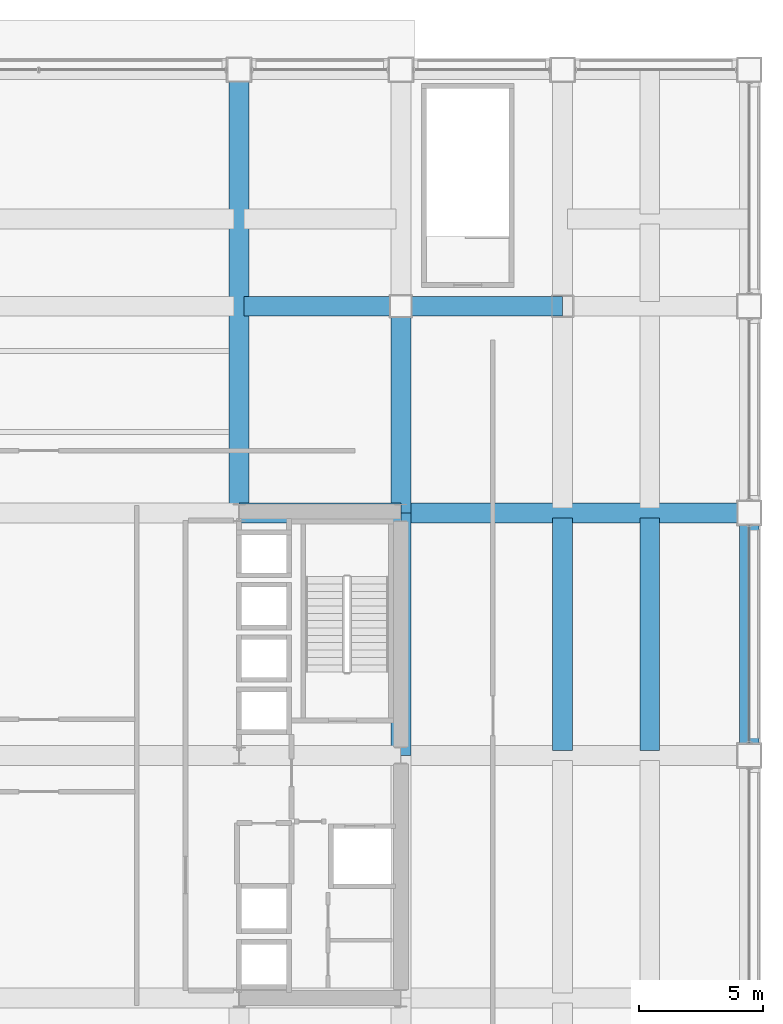
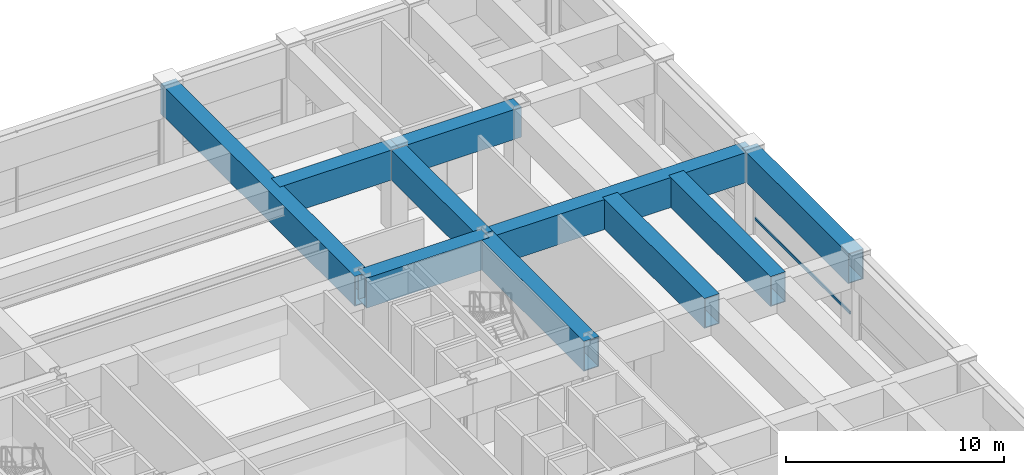
# One storey, part 20 of 30: 10 beams, 1 member, 1 element without a shape of its own.
"""IFC4 building model written with IfcOpenShell, lengths in metres."""

from ifc_helpers import new_model, si_unit, direction, frame, origin, origin_2d, place, context, subcontext, project, spatial, hollow_rectangle, extrude, material, layer, layer_set, material_profile, profile_set, type_object, element, aggregate, save


model = new_model("IFC4")

# Units and contexts
model_context = context("Model", 3, precision=1e-05, world=origin(), true_north=direction((0.0, 1.0)))
body_context = subcontext(model_context, "Body", "Model", "MODEL_VIEW")
ifc_project = project(units=[si_unit("LENGTHUNIT", "METRE"), si_unit("AREAUNIT", "SQUARE_METRE"), si_unit("VOLUMEUNIT", "CUBIC_METRE"), si_unit("PLANEANGLEUNIT", "RADIAN"), si_unit("MASSUNIT", "GRAM", prefix="KILO")], contexts=[model_context])

# Site, building, storey
site_placement = place(None, origin())
site = spatial("IfcSite", under=ifc_project, at=site_placement, CompositionType="ELEMENT")
building_placement = place(site_placement, origin())
building = spatial("IfcBuilding", under=site, at=building_placement, Name="Brelmoor Portico Tower", CompositionType="ELEMENT")
storey_placement = place(building_placement, frame((0.0, 0.0, 19.199951171875)))
storey = spatial("IfcBuildingStorey", under=building, at=storey_placement, Name="L04", CompositionType="ELEMENT", Elevation=19.199951171875)

# Beams
ifc_material_1 = material(Name="Steel Q355B", Category="steel")
ifc_material_profile_1 = material_profile(ifc_material_1, hollow_rectangle(XDim=0.800048828125, YDim=1.679931640625, WallThickness=0.044921875, at=origin_2d()), Name="BOX 800x1680x45")
ifc_profile_set_1 = profile_set([ifc_material_profile_1], Name="Steel Q355B")
beam_type = type_object("IfcBeamType", Name="BM-TG-Z1", PredefinedType="BEAM", material=ifc_profile_set_1)
beam_1_placement = place(storey_placement, frame((28.550048828125, 0.0, 3.760009765625), z_axis=(0.0, 1.0, 0.0), x_axis=(-1.0, 0.0, 0.0)))
element("IfcBeam", 1, at=beam_1_placement, inside=storey, type_object=beam_type, Name="L04 Perimeter Transfer Beam SP-24", PredefinedType="BEAM", context=body_context, shape_type="SweptSolid", body=[
    extrude(hollow_rectangle(XDim=0.800048828125, YDim=1.679931640625, WallThickness=0.044921875, at=origin_2d()), origin(), (0.0, 0.0, 1.0), 9.75),
])
beam_2_placement = place(storey_placement, frame((8.050048828125, 9.75, 3.760009765625), z_axis=(0.0, 1.0, 0.0), x_axis=(-1.0, 0.0, 0.0)))
element("IfcBeam", 2, at=beam_2_placement, inside=storey, type_object=beam_type, Name="L04 Setback Transfer Girder PG-12", PredefinedType="BEAM", context=body_context, shape_type="SweptSolid", body=[
    extrude(hollow_rectangle(XDim=0.800048828125, YDim=1.679931640625, WallThickness=0.044921875, at=origin_2d()), origin(), (0.0, 0.0, 1.0), 17.800048828125),
])
beam_3_placement = place(storey_placement, frame((14.550048828125, 0.0, 3.760009765625), z_axis=(0.0, 1.0, 0.0), x_axis=(-1.0, 0.0, 0.0)))
element("IfcBeam", 3, at=beam_3_placement, inside=storey, type_object=beam_type, Name="L04 Setback Transfer Girder PG-16", PredefinedType="BEAM", context=body_context, shape_type="SweptSolid", body=[
    extrude(hollow_rectangle(XDim=0.800048828125, YDim=1.679931640625, WallThickness=0.044921875, at=origin_2d()), origin(), (0.0, 0.0, 1.0), 9.75),
])
beam_4_placement = place(storey_placement, frame((14.550048828125, 9.75, 3.760009765625), z_axis=(0.0, 1.0, 0.0), x_axis=(-1.0, 0.0, 0.0)))
element("IfcBeam", 4, at=beam_4_placement, inside=storey, type_object=beam_type, Name="L04 Setback Transfer Girder PG-17", PredefinedType="BEAM", context=body_context, shape_type="SweptSolid", body=[
    extrude(hollow_rectangle(XDim=0.800048828125, YDim=1.679931640625, WallThickness=0.044921875, at=origin_2d()), origin(), (0.0, 0.0, 1.0), 8.300048828125),
])
beam_5_placement = place(storey_placement, frame((8.050048828125, 9.75, 3.760009765625), z_axis=(1.0, 0.0, 0.0), x_axis=(0.0, 1.0, 0.0)))
element("IfcBeam", 5, at=beam_5_placement, inside=storey, type_object=beam_type, Name="L04 Setback Transfer Girder PG-38", PredefinedType="BEAM", context=body_context, shape_type="SweptSolid", body=[
    extrude(hollow_rectangle(XDim=0.800048828125, YDim=1.679931640625, WallThickness=0.044921875, at=origin_2d()), origin(), (0.0, 0.0, 1.0), 6.5),
])
beam_6_placement = place(storey_placement, frame((14.550048828125, 9.75, 3.760009765625), z_axis=(1.0, 0.0, 0.0), x_axis=(0.0, 1.0, 0.0)))
element("IfcBeam", 6, at=beam_6_placement, inside=storey, type_object=beam_type, Name="L04 Setback Transfer Girder PG-39", PredefinedType="BEAM", context=body_context, shape_type="SweptSolid", body=[
    extrude(hollow_rectangle(XDim=0.800048828125, YDim=1.679931640625, WallThickness=0.044921875, at=origin_2d()), origin(), (0.0, 0.0, 1.0), 14.0),
])
beam_7_placement = place(storey_placement, frame((14.550048828125, 18.050048828125, 3.760009765625), z_axis=(1.0, 0.0, 0.0), x_axis=(0.0, 1.0, 0.0)))
element("IfcBeam", 7, at=beam_7_placement, inside=storey, type_object=beam_type, Name="L04 Setback Transfer Girder PG-42", PredefinedType="BEAM", context=body_context, shape_type="SweptSolid", body=[
    extrude(hollow_rectangle(XDim=0.800048828125, YDim=1.679931640625, WallThickness=0.044921875, at=origin_2d()), origin(), (0.0, 0.0, 1.0), 6.5),
])
beam_8_placement = place(storey_placement, frame((8.25, 18.050048828125, 3.760009765625), z_axis=(1.0, 0.0, 0.0), x_axis=(0.0, 1.0, 0.0)))
element("IfcBeam", 8, at=beam_8_placement, inside=storey, type_object=beam_type, Name="L04 Setback Transfer Girder TGN-24", PredefinedType="BEAM", context=body_context, shape_type="SweptSolid", body=[
    extrude(hollow_rectangle(XDim=0.800048828125, YDim=1.679931640625, WallThickness=0.044921875, at=origin_2d()), origin(), (0.0, 0.0, 1.0), 6.300048828125),
])
for number, where, z_axis, x_axis, name in (
    (9, (21.050048828125, 0.199951171875, 3.760009765625), (0.0, 1.0, 0.0), (-1.0, 0.0, 0.0), "L04 Setback Transfer Girder TGN-36"),
    (10, (24.550048828125, 0.199951171875, 3.760009765625), (0.0, 1.0, 0.0), (-1.0, 0.0, 0.0), "L04 Setback Transfer Girder TGN-51"),
):
    element("IfcBeam", number, at=place(storey_placement, frame(where, z_axis=z_axis, x_axis=x_axis)), inside=storey, type_object=beam_type, Name=name, PredefinedType="BEAM", context=body_context, shape_type="SweptSolid", body=[
        extrude(hollow_rectangle(XDim=0.800048828125, YDim=1.679931640625, WallThickness=0.044921875, at=origin_2d()), origin(), (0.0, 0.0, 1.0), 9.35009765625),
    ])

# Curtain wall, member
ifc_material_2 = material(Name="Anodised Aluminium Alloy 6063-T6", Category="aluminium")
ifc_layer = layer(ifc_material_2, 0.179931640625)
ifc_layer_set = layer_set([ifc_layer], Name="Anodised Aluminium Alloy 6063-T6")
curtain_wall_type = type_object("IfcCurtainWallType", Name="CW-PODIUM-ARCH", PredefinedType="NOTDEFINED", material=ifc_layer_set)
curtain_wall_placement = place(storey_placement, origin())
curtain_wall = element("IfcCurtainWall", 11, at=curtain_wall_placement, inside=storey, type_object=curtain_wall_type, Name="L04 Curtain Wall CW-L04-04-4", PredefinedType="NOTDEFINED")
ifc_material_profile_2 = material_profile(ifc_material_2, hollow_rectangle(XDim=0.070068359375, YDim=0.159912109375, WallThickness=0.00390625, at=origin_2d()), Name="ALU TRANSOM 70x160")
ifc_profile_set_2 = profile_set([ifc_material_profile_2], Name="Anodised Aluminium Alloy 6063-T6")
member_type = type_object("IfcMemberType", Name="MB-CW-TRAN-160", PredefinedType="USERDEFINED", material=ifc_profile_set_2)
member_placement = place(storey_placement, frame((28.550048828125, 0.510009765625, 0.85009765625), z_axis=(0.0, 1.0, 0.0), x_axis=(-1.0, 0.0, 0.0)))
member = element("IfcMember", 12, at=member_placement, type_object=member_type, Name="CW-L04-04-4 Transom 1-00", ObjectType="TRANSOM", PredefinedType="USERDEFINED", context=body_context, shape_type="SweptSolid", body=[
    extrude(hollow_rectangle(XDim=0.070068359375, YDim=0.159912109375, WallThickness=0.00390625, at=origin_2d()), origin(), (0.0, 0.0, 1.0), 8.72998046875),
])
aggregate(curtain_wall, [member])

save(model, "model.ifc")
